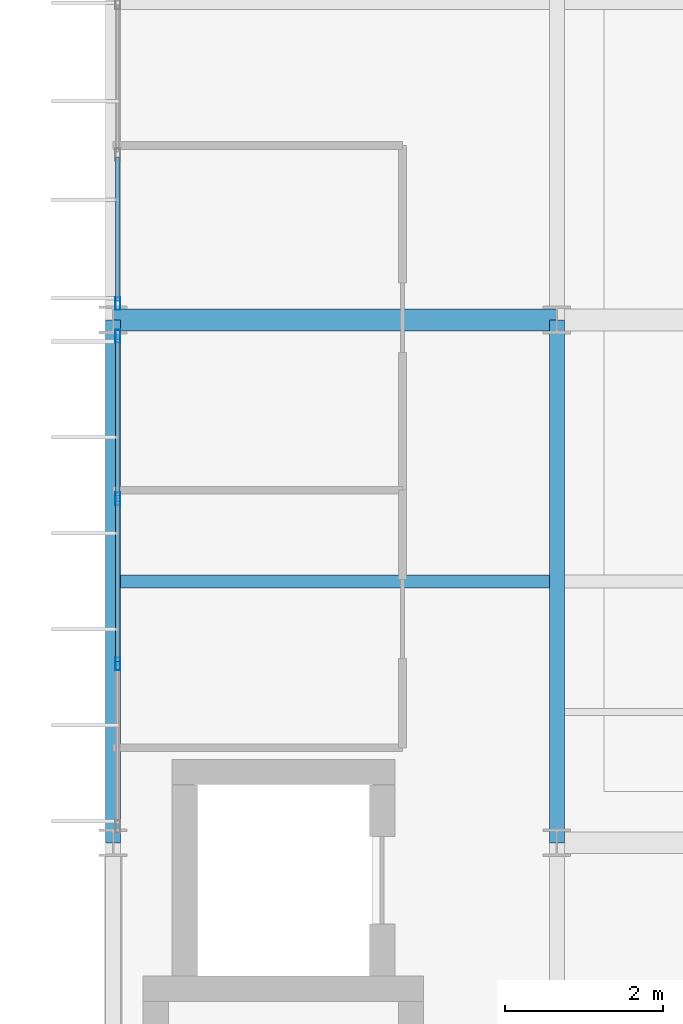
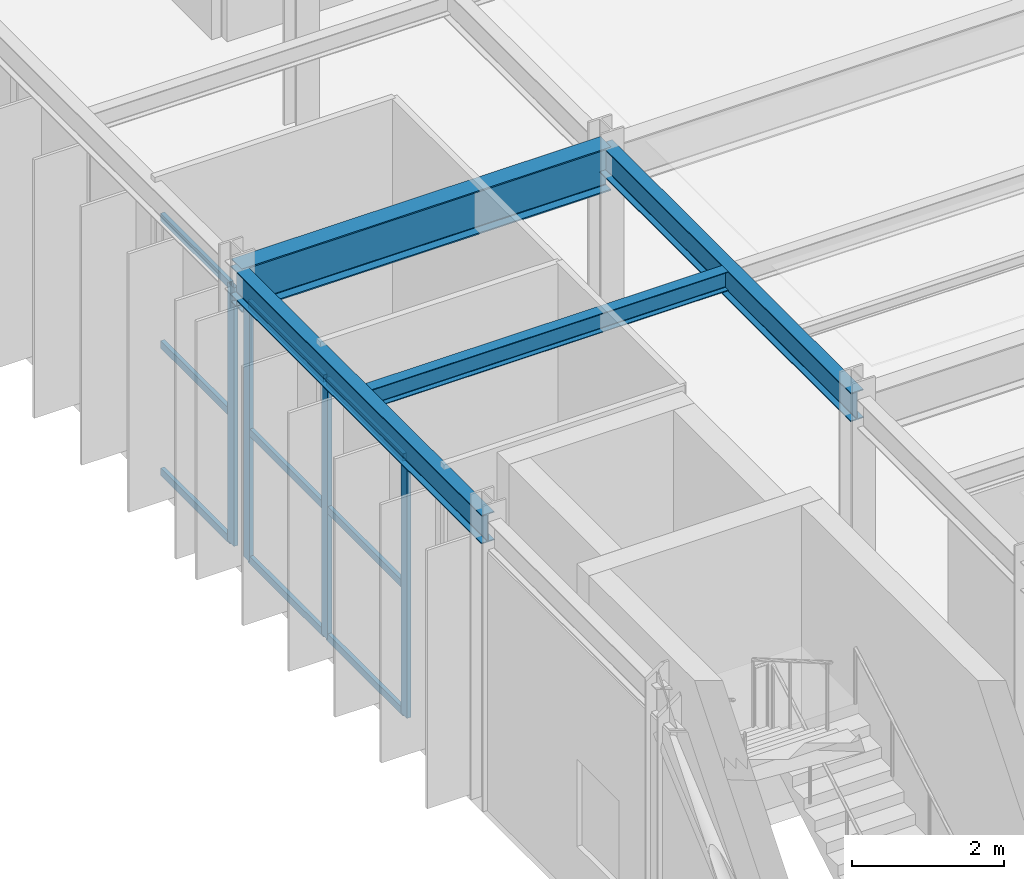
# One storey, part 34 of 144: 13 members, 4 beams, 2 elements without a shape of their own.
"""IFC4 building model written with IfcOpenShell, lengths in metres."""

from ifc_helpers import new_model, si_unit, direction, frame, origin, origin_2d, place, context, subcontext, project, spatial, hollow_rectangle, i_section, extrude, material, material_profile, profile_set, type_object, element, aggregate, save


model = new_model("IFC4")

# Units and contexts
model_context = context("Model", 3, precision=1e-05, world=origin(), true_north=direction((0.0, 1.0)))
body_context = subcontext(model_context, "Body", "Model", "MODEL_VIEW")
ifc_project = project(units=[si_unit("LENGTHUNIT", "METRE"), si_unit("AREAUNIT", "SQUARE_METRE"), si_unit("VOLUMEUNIT", "CUBIC_METRE"), si_unit("PLANEANGLEUNIT", "RADIAN"), si_unit("MASSUNIT", "GRAM", prefix="KILO")], contexts=[model_context])

# Site, building, storey
site_placement = place(None, origin())
site = spatial("IfcSite", under=ifc_project, at=site_placement, CompositionType="ELEMENT")
building_placement = place(site_placement, origin())
building = spatial("IfcBuilding", under=site, at=building_placement, Name="Karori Crest Natural Sciences Institute", CompositionType="ELEMENT")
storey_placement = place(building_placement, origin())
storey = spatial("IfcBuildingStorey", under=building, at=storey_placement, Name="L00", CompositionType="ELEMENT", Elevation=0.0)

# Beams
ifc_material_1 = material(Name="Structural steel AS/NZS 3679.1 Grade 350", Category="steel")
ifc_material_profile_1 = material_profile(ifc_material_1, i_section(OverallWidth=0.27490234375, OverallDepth=0.699951171875, WebThickness=0.010009765625, FlangeThickness=0.02001953125, FilletRadius=0.013916015625, at=origin_2d()), Name="700WB150")
ifc_profile_set_1 = profile_set([ifc_material_profile_1], Name="Structural steel AS/NZS 3679.1 Grade 350")
beam_type_1 = type_object("IfcBeamType", Name="BT-03", PredefinedType="BEAM", material=ifc_profile_set_1)
beam_1_placement = place(storey_placement, frame((1.800048828125, 47.0, 4.27001953125), z_axis=(1.0, 0.0, 0.0), x_axis=(0.0, 1.0, 0.0)))
element("IfcBeam", 1, at=beam_1_placement, inside=storey, type_object=beam_type_1, Name="Beam B-0947", PredefinedType="BEAM", context=body_context, shape_type="SweptSolid", body=[
    extrude(i_section(OverallWidth=0.27490234375, OverallDepth=0.699951171875, WebThickness=0.010009765625, FlangeThickness=0.02001953125, FilletRadius=0.013916015625, at=origin_2d()), origin(), (0.0, 0.0, 1.0), 5.599853515625),
])
ifc_material_profile_2 = material_profile(ifc_material_1, i_section(OverallWidth=0.19091796875, OverallDepth=0.4599609375, WebThickness=0.010009765625, FlangeThickness=0.01611328125, FilletRadius=0.010986328125, at=origin_2d()), Name="460UB82.1")
ifc_profile_set_2 = profile_set([ifc_material_profile_2], Name="Structural steel AS/NZS 3679.1 Grade 350")
beam_type_2 = type_object("IfcBeamType", Name="BT-06", PredefinedType="BEAM", material=ifc_profile_set_2)
beam_2_placement = place(storey_placement, frame((7.39990234375, 40.39990234375, 4.389892578125), z_axis=(0.0, 1.0, 0.0), x_axis=(-1.0, 0.0, 0.0)))
element("IfcBeam", 2, at=beam_2_placement, inside=storey, type_object=beam_type_2, Name="Beam B-0969", PredefinedType="BEAM", context=body_context, shape_type="SweptSolid", body=[
    extrude(i_section(OverallWidth=0.19091796875, OverallDepth=0.4599609375, WebThickness=0.010009765625, FlangeThickness=0.01611328125, FilletRadius=0.010986328125, at=origin_2d()), origin(), (0.0, 0.0, 1.0), 6.60009765625),
])
ifc_material_profile_3 = material_profile(ifc_material_1, i_section(OverallWidth=0.19091796875, OverallDepth=0.4599609375, WebThickness=0.010009765625, FlangeThickness=0.01611328125, FilletRadius=0.010986328125, at=origin_2d()), Name="460UB82.1")
ifc_profile_set_3 = profile_set([ifc_material_profile_3], Name="Structural steel AS/NZS 3679.1 Grade 350")
beam_type_3 = type_object("IfcBeamType", Name="BT-06-EL", PredefinedType="BEAM", material=ifc_profile_set_3)
beam_3_placement = place(storey_placement, frame((1.800048828125, 40.39990234375, 4.389892578125), z_axis=(0.0, 1.0, 0.0), x_axis=(-1.0, 0.0, 0.0)))
element("IfcBeam", 3, at=beam_3_placement, inside=storey, type_object=beam_type_3, Name="Beam B-0962", PredefinedType="BEAM", context=body_context, shape_type="SweptSolid", body=[
    extrude(i_section(OverallWidth=0.19091796875, OverallDepth=0.4599609375, WebThickness=0.010009765625, FlangeThickness=0.01611328125, FilletRadius=0.010986328125, at=origin_2d()), origin(), (0.0, 0.0, 1.0), 6.60009765625),
])
ifc_material_profile_4 = material_profile(ifc_material_1, i_section(OverallWidth=0.166015625, OverallDepth=0.306884765625, WebThickness=0.006591796875, FlangeThickness=0.01171875, FilletRadius=0.010986328125, at=origin_2d()), Name="310UB46.2")
ifc_profile_set_4 = profile_set([ifc_material_profile_4], Name="Structural steel AS/NZS 3679.1 Grade 350")
beam_type_4 = type_object("IfcBeamType", Name="BT-09", PredefinedType="BEAM", material=ifc_profile_set_4)
beam_4_placement = place(storey_placement, frame((1.8955078125, 43.699951171875, 4.466552734375), z_axis=(1.0, 0.0, 0.0), x_axis=(0.0, 1.0, 0.0)))
element("IfcBeam", 4, at=beam_4_placement, inside=storey, type_object=beam_type_4, Name="Beam B-0988", PredefinedType="BEAM", context=body_context, shape_type="SweptSolid", body=[
    extrude(i_section(OverallWidth=0.166015625, OverallDepth=0.306884765625, WebThickness=0.006591796875, FlangeThickness=0.01171875, FilletRadius=0.010986328125, at=origin_2d()), origin(), (0.0, 0.0, 1.0), 5.408935546875),
])

# Curtain wall, members
ifc_material_2 = material(Name="Anodised architectural aluminium 6063-T6", Category="aluminium")
curtain_wall_type = type_object("IfcCurtainWallType", Name="CWT-17", PredefinedType="NOTDEFINED", material=ifc_material_2)
curtain_wall_1_placement = place(storey_placement, origin())
curtain_wall_1 = element("IfcCurtainWall", 5, at=curtain_wall_1_placement, inside=storey, type_object=curtain_wall_type, Name="Curtain wall CW-0254", PredefinedType="NOTDEFINED")
ifc_material_profile_5 = material_profile(ifc_material_2, hollow_rectangle(XDim=0.06494140625, YDim=0.159912109375, WallThickness=0.00390625, at=origin_2d()), Name="CWM160x65x4")
ifc_profile_set_5 = profile_set([ifc_material_profile_5], Name="Anodised architectural aluminium 6063-T6")
member_type_1 = type_object("IfcMemberType", Name="CWM-01", PredefinedType="MULLION", material=ifc_profile_set_5)
member_1_placement = place(storey_placement, frame((1.860107421875, 42.65771484375, 0.0), z_axis=(0.0, 0.0, 1.0), x_axis=(-1.0, 0.0, 0.0)))
member_1 = element("IfcMember", 6, at=member_1_placement, type_object=member_type_1, Name="CW-0254 mullion 2", PredefinedType="MULLION", context=body_context, shape_type="SweptSolid", body=[
    extrude(hollow_rectangle(XDim=0.06494140625, YDim=0.159912109375, WallThickness=0.00390625, at=origin_2d()), origin(), (0.0, 0.0, 1.0), 4.14501953125),
])
member_2_placement = place(storey_placement, frame((1.860107421875, 44.742431640625, 0.0), z_axis=(0.0, 0.0, 1.0), x_axis=(-1.0, 0.0, 0.0)))
member_2 = element("IfcMember", 7, at=member_2_placement, type_object=member_type_1, Name="CW-0254 mullion 3", PredefinedType="MULLION", context=body_context, shape_type="SweptSolid", body=[
    extrude(hollow_rectangle(XDim=0.06494140625, YDim=0.159912109375, WallThickness=0.00390625, at=origin_2d()), origin(), (0.0, 0.0, 1.0), 4.14501953125),
])
member_3_placement = place(storey_placement, frame((1.860107421875, 46.79443359375, 0.0), z_axis=(0.0, 0.0, 1.0), x_axis=(-1.0, 0.0, 0.0)))
member_3 = element("IfcMember", 8, at=member_3_placement, type_object=member_type_1, Name="CW-0254 mullion 4", PredefinedType="MULLION", context=body_context, shape_type="SweptSolid", body=[
    extrude(hollow_rectangle(XDim=0.06494140625, YDim=0.159912109375, WallThickness=0.00390625, at=origin_2d()), origin(), (0.0, 0.0, 1.0), 4.14501953125),
])

# Curtain wall, member
curtain_wall_2_placement = place(storey_placement, origin())
curtain_wall_2 = element("IfcCurtainWall", 9, at=curtain_wall_2_placement, inside=storey, type_object=curtain_wall_type, Name="Curtain wall CW-0255", PredefinedType="NOTDEFINED")
member_4_placement = place(storey_placement, frame((1.860107421875, 47.20556640625, 0.0), z_axis=(0.0, 0.0, 1.0), x_axis=(-1.0, 0.0, 0.0)))
member_4 = element("IfcMember", 10, at=member_4_placement, type_object=member_type_1, Name="CW-0255 mullion 1", PredefinedType="MULLION", context=body_context, shape_type="SweptSolid", body=[
    extrude(hollow_rectangle(XDim=0.06494140625, YDim=0.159912109375, WallThickness=0.00390625, at=origin_2d()), origin(), (0.0, 0.0, 1.0), 4.14501953125),
])

# Member
ifc_material_profile_6 = material_profile(ifc_material_2, hollow_rectangle(XDim=0.06005859375, YDim=0.1201171875, WallThickness=0.00390625, at=origin_2d()), Name="CWT120x60x4")
ifc_profile_set_6 = profile_set([ifc_material_profile_6], Name="Anodised architectural aluminium 6063-T6")
member_type_2 = type_object("IfcMemberType", Name="CWT-TR1", PredefinedType="USERDEFINED", material=ifc_profile_set_6)
member_5_placement = place(storey_placement, frame((1.860107421875, 42.690185546875, 0.030029296875), z_axis=(0.0, 1.0, 0.0), x_axis=(-1.0, 0.0, 0.0)))
member_5 = element("IfcMember", 11, at=member_5_placement, type_object=member_type_2, Name="CW-0254 transom 2.1", ObjectType="TRANSOM", PredefinedType="USERDEFINED", context=body_context, shape_type="SweptSolid", body=[
    extrude(hollow_rectangle(XDim=0.06005859375, YDim=0.1201171875, WallThickness=0.00390625, at=origin_2d()), origin(), (0.0, 0.0, 1.0), 2.01953125),
])

member_6_placement = place(storey_placement, frame((1.860107421875, 42.690185546875, 2.072509765625), z_axis=(0.0, 1.0, 0.0), x_axis=(-1.0, 0.0, 0.0)))
member_6 = element("IfcMember", 12, at=member_6_placement, type_object=member_type_2, Name="CW-0254 transom 2.2", ObjectType="TRANSOM", PredefinedType="USERDEFINED", context=body_context, shape_type="SweptSolid", body=[
    extrude(hollow_rectangle(XDim=0.06005859375, YDim=0.1201171875, WallThickness=0.00390625, at=origin_2d()), origin(), (0.0, 0.0, 1.0), 2.01953125),
])

member_7_placement = place(storey_placement, frame((1.860107421875, 42.690185546875, 4.114990234375), z_axis=(0.0, 1.0, 0.0), x_axis=(-1.0, 0.0, 0.0)))
member_7 = element("IfcMember", 13, at=member_7_placement, type_object=member_type_2, Name="CW-0254 transom 2.3", ObjectType="TRANSOM", PredefinedType="USERDEFINED", context=body_context, shape_type="SweptSolid", body=[
    extrude(hollow_rectangle(XDim=0.06005859375, YDim=0.1201171875, WallThickness=0.00390625, at=origin_2d()), origin(), (0.0, 0.0, 1.0), 2.01953125),
])

member_8_placement = place(storey_placement, frame((1.860107421875, 44.77490234375, 0.030029296875), z_axis=(0.0, 1.0, 0.0), x_axis=(-1.0, 0.0, 0.0)))
member_8 = element("IfcMember", 14, at=member_8_placement, type_object=member_type_2, Name="CW-0254 transom 3.1", ObjectType="TRANSOM", PredefinedType="USERDEFINED", context=body_context, shape_type="SweptSolid", body=[
    extrude(hollow_rectangle(XDim=0.06005859375, YDim=0.1201171875, WallThickness=0.00390625, at=origin_2d()), origin(), (0.0, 0.0, 1.0), 1.987060546875),
])

member_9_placement = place(storey_placement, frame((1.860107421875, 44.77490234375, 2.072509765625), z_axis=(0.0, 1.0, 0.0), x_axis=(-1.0, 0.0, 0.0)))
member_9 = element("IfcMember", 15, at=member_9_placement, type_object=member_type_2, Name="CW-0254 transom 3.2", ObjectType="TRANSOM", PredefinedType="USERDEFINED", context=body_context, shape_type="SweptSolid", body=[
    extrude(hollow_rectangle(XDim=0.06005859375, YDim=0.1201171875, WallThickness=0.00390625, at=origin_2d()), origin(), (0.0, 0.0, 1.0), 1.987060546875),
])

member_10_placement = place(storey_placement, frame((1.860107421875, 44.77490234375, 4.114990234375), z_axis=(0.0, 1.0, 0.0), x_axis=(-1.0, 0.0, 0.0)))
member_10 = element("IfcMember", 16, at=member_10_placement, type_object=member_type_2, Name="CW-0254 transom 3.3", ObjectType="TRANSOM", PredefinedType="USERDEFINED", context=body_context, shape_type="SweptSolid", body=[
    extrude(hollow_rectangle(XDim=0.06005859375, YDim=0.1201171875, WallThickness=0.00390625, at=origin_2d()), origin(), (0.0, 0.0, 1.0), 1.987060546875),
])

aggregate(curtain_wall_1, [member_1, member_2, member_3, member_5, member_6, member_7, member_8, member_9, member_10])

member_11_placement = place(storey_placement, frame((1.860107421875, 47.238037109375, 0.030029296875), z_axis=(0.0, 1.0, 0.0), x_axis=(-1.0, 0.0, 0.0)))
member_11 = element("IfcMember", 17, at=member_11_placement, type_object=member_type_2, Name="CW-0255 transom 1.1", ObjectType="TRANSOM", PredefinedType="USERDEFINED", context=body_context, shape_type="SweptSolid", body=[
    extrude(hollow_rectangle(XDim=0.06005859375, YDim=0.1201171875, WallThickness=0.00390625, at=origin_2d()), origin(), (0.0, 0.0, 1.0), 1.81591796875),
])

member_12_placement = place(storey_placement, frame((1.860107421875, 47.238037109375, 2.072509765625), z_axis=(0.0, 1.0, 0.0), x_axis=(-1.0, 0.0, 0.0)))
member_12 = element("IfcMember", 18, at=member_12_placement, type_object=member_type_2, Name="CW-0255 transom 1.2", ObjectType="TRANSOM", PredefinedType="USERDEFINED", context=body_context, shape_type="SweptSolid", body=[
    extrude(hollow_rectangle(XDim=0.06005859375, YDim=0.1201171875, WallThickness=0.00390625, at=origin_2d()), origin(), (0.0, 0.0, 1.0), 1.81591796875),
])

member_13_placement = place(storey_placement, frame((1.860107421875, 47.238037109375, 4.114990234375), z_axis=(0.0, 1.0, 0.0), x_axis=(-1.0, 0.0, 0.0)))
member_13 = element("IfcMember", 19, at=member_13_placement, type_object=member_type_2, Name="CW-0255 transom 1.3", ObjectType="TRANSOM", PredefinedType="USERDEFINED", context=body_context, shape_type="SweptSolid", body=[
    extrude(hollow_rectangle(XDim=0.06005859375, YDim=0.1201171875, WallThickness=0.00390625, at=origin_2d()), origin(), (0.0, 0.0, 1.0), 1.81591796875),
])

aggregate(curtain_wall_2, [member_4, member_11, member_12, member_13])

save(model, "model.ifc")
